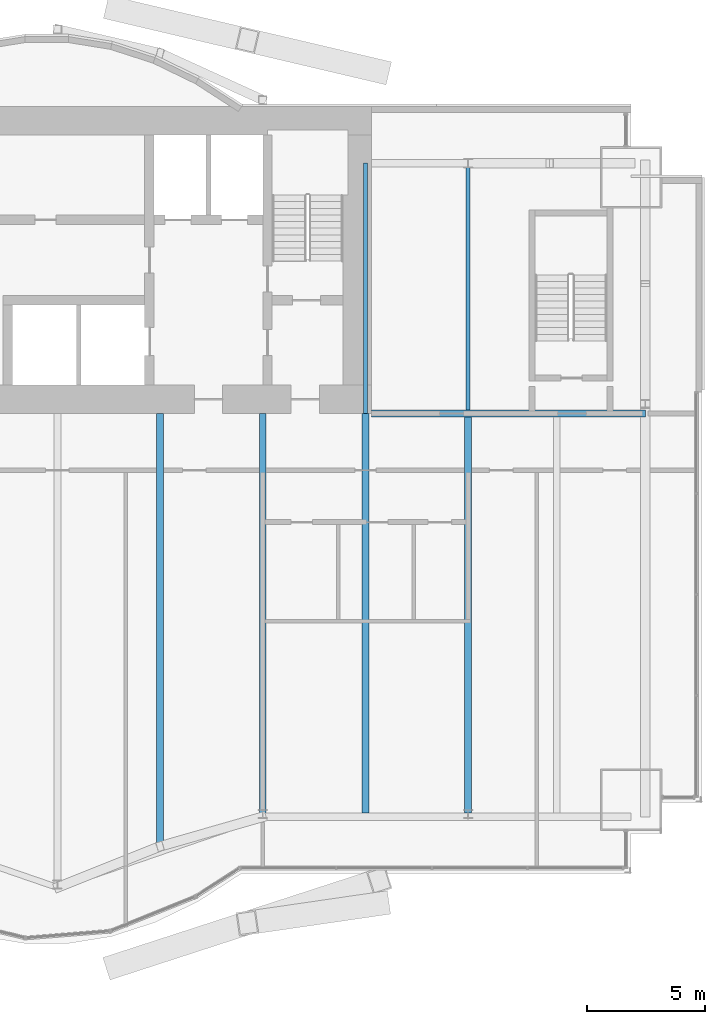
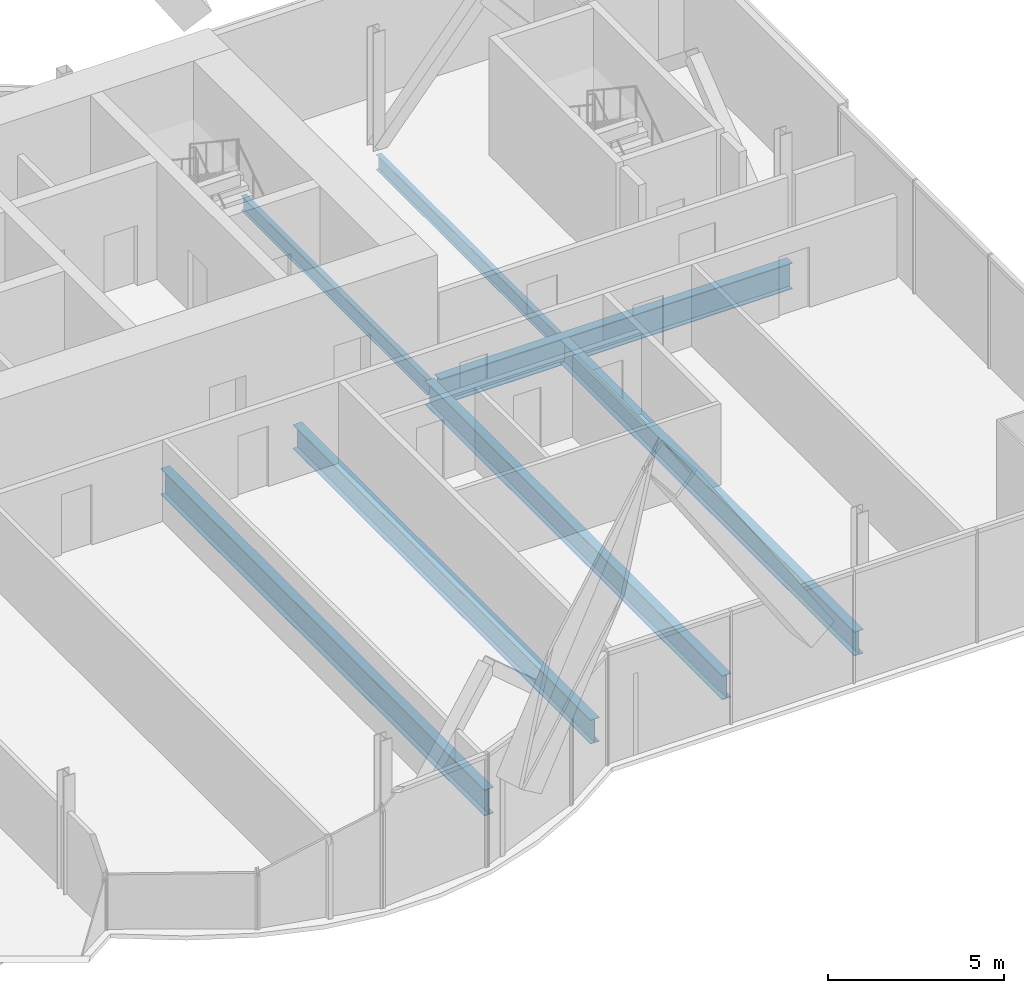
# One storey, part 11 of 22: 7 beams.
"""IFC4 building model written with IfcOpenShell, lengths in metres."""

from ifc_helpers import new_model, si_unit, direction, frame, origin, origin_2d, place, context, subcontext, project, spatial, i_section, extrude, material, material_profile, profile_set, type_object, element, save


model = new_model("IFC4")

# Units and contexts
model_context = context("Model", 3, precision=1e-05, world=origin(), true_north=direction((0.0, 1.0)))
body_context = subcontext(model_context, "Body", "Model", "MODEL_VIEW")
ifc_project = project(units=[si_unit("LENGTHUNIT", "METRE"), si_unit("AREAUNIT", "SQUARE_METRE"), si_unit("VOLUMEUNIT", "CUBIC_METRE"), si_unit("PLANEANGLEUNIT", "RADIAN"), si_unit("MASSUNIT", "GRAM", prefix="KILO")], contexts=[model_context])

# Site, building, storey
site_placement = place(None, origin())
site = spatial("IfcSite", under=ifc_project, at=site_placement, CompositionType="ELEMENT")
building_placement = place(site_placement, origin())
building = spatial("IfcBuilding", under=site, at=building_placement, Name="Bicima Exchange Tower", CompositionType="ELEMENT")
storey_placement = place(building_placement, frame((0.0, 0.0, 203.199951171875)))
storey = spatial("IfcBuildingStorey", under=building, at=storey_placement, Name="L45", CompositionType="ELEMENT", Elevation=203.199951171875)

# Beams
ifc_material = material(Name="Steel ASTM A992 Gr 50", Category="steel")
ifc_material_profile_1 = material_profile(ifc_material, i_section(OverallWidth=0.3046875, OverallDepth=0.911865234375, WebThickness=0.015869140625, FlangeThickness=0.02392578125, at=origin_2d()))
ifc_profile_set_1 = profile_set([ifc_material_profile_1], Name="Steel ASTM A992 Gr 50")
beam_type_1 = type_object("IfcBeamType", Name="Core-line girder W36x150", PredefinedType="BEAM", material=ifc_profile_set_1)
beam_1_placement = place(storey_placement, frame((22.0, -13.0, -0.60595703125), z_axis=(1.0, 0.0, 0.0), x_axis=(0.0, 1.0, 0.0)))
element("IfcBeam", 1, at=beam_1_placement, inside=storey, type_object=beam_type_1, Name="Core-line girder", PredefinedType="BEAM", context=body_context, shape_type="SweptSolid", body=[
    extrude(i_section(OverallWidth=0.3046875, OverallDepth=0.911865234375, WebThickness=0.015869140625, FlangeThickness=0.02392578125, at=origin_2d()), origin(), (0.0, 0.0, 1.0), 11.60009765625),
])
ifc_material_profile_2 = material_profile(ifc_material, i_section(OverallWidth=0.165771484375, OverallDepth=0.5283203125, WebThickness=0.009765625, FlangeThickness=0.013671875, at=origin_2d()))
ifc_profile_set_2 = profile_set([ifc_material_profile_2], Name="Steel ASTM A992 Gr 50")
beam_type_2 = type_object("IfcBeamType", Name="Floor beam W21x50", PredefinedType="JOIST", material=ifc_profile_set_2)
beam_2_placement = place(storey_placement, frame((21.75, -2.39990234375, -0.4140625), z_axis=(0.0, -1.0, 0.0), x_axis=(1.0, 0.0, 0.0)))
element("IfcBeam", 2, at=beam_2_placement, inside=storey, type_object=beam_type_2, Name="Floor beam", PredefinedType="JOIST", context=body_context, shape_type="SweptSolid", body=[
    extrude(i_section(OverallWidth=0.165771484375, OverallDepth=0.5283203125, WebThickness=0.009765625, FlangeThickness=0.013671875, at=origin_2d()), origin(), (0.0, 0.0, 1.0), 10.60009765625),
])
beam_3_placement = place(storey_placement, frame((26.10009765625, -2.5625, -0.4140625), z_axis=(0.0, -1.0, 0.0), x_axis=(1.0, 0.0, 0.0)))
element("IfcBeam", 3, at=beam_3_placement, inside=storey, type_object=beam_type_2, Name="Floor beam", PredefinedType="JOIST", context=body_context, shape_type="SweptSolid", body=[
    extrude(i_section(OverallWidth=0.165771484375, OverallDepth=0.5283203125, WebThickness=0.009765625, FlangeThickness=0.013671875, at=origin_2d()), origin(), (0.0, 0.0, 1.0), 10.28515625),
])
ifc_material_profile_3 = material_profile(ifc_material, i_section(OverallWidth=0.2919921875, OverallDepth=0.835693359375, WebThickness=0.013916015625, FlangeThickness=0.018798828125, at=origin_2d()))
ifc_profile_set_3 = profile_set([ifc_material_profile_3], Name="Steel ASTM A992 Gr 50")
beam_type_3 = type_object("IfcBeamType", Name="Floor beam W33x118", PredefinedType="JOIST", material=ifc_profile_set_3)
beam_4_placement = place(storey_placement, frame((17.39990234375, -13.0, -0.56787109375), z_axis=(0.0, -1.0, 0.0), x_axis=(1.0, 0.0, 0.0)))
element("IfcBeam", 4, at=beam_4_placement, inside=storey, type_object=beam_type_3, Name="Floor beam", PredefinedType="JOIST", context=body_context, shape_type="SweptSolid", body=[
    extrude(i_section(OverallWidth=0.2919921875, OverallDepth=0.835693359375, WebThickness=0.013916015625, FlangeThickness=0.018798828125, at=origin_2d()), origin(), (0.0, 0.0, 1.0), 16.948486328125),
])
beam_5_placement = place(storey_placement, frame((21.75, -13.0, -0.56787109375), z_axis=(0.0, -1.0, 0.0), x_axis=(1.0, 0.0, 0.0)))
element("IfcBeam", 5, at=beam_5_placement, inside=storey, type_object=beam_type_3, Name="Floor beam", PredefinedType="JOIST", context=body_context, shape_type="SweptSolid", body=[
    extrude(i_section(OverallWidth=0.2919921875, OverallDepth=0.835693359375, WebThickness=0.013916015625, FlangeThickness=0.018798828125, at=origin_2d()), origin(), (0.0, 0.0, 1.0), 16.92138671875),
])
beam_6_placement = place(storey_placement, frame((26.10009765625, -13.15234375, -0.56787109375), z_axis=(0.0, -1.0, 0.0), x_axis=(1.0, 0.0, 0.0)))
element("IfcBeam", 6, at=beam_6_placement, inside=storey, type_object=beam_type_3, Name="Floor beam", PredefinedType="JOIST", context=body_context, shape_type="SweptSolid", body=[
    extrude(i_section(OverallWidth=0.2919921875, OverallDepth=0.835693359375, WebThickness=0.013916015625, FlangeThickness=0.018798828125, at=origin_2d()), origin(), (0.0, 0.0, 1.0), 16.76904296875),
])
ifc_material_profile_4 = material_profile(ifc_material, i_section(OverallWidth=0.3046875, OverallDepth=0.904296875, WebThickness=0.01513671875, FlangeThickness=0.02001953125, at=origin_2d()))
ifc_profile_set_4 = profile_set([ifc_material_profile_4], Name="Steel ASTM A992 Gr 50")
beam_type_4 = type_object("IfcBeamType", Name="Floor beam W36x135", PredefinedType="JOIST", material=ifc_profile_set_4)
beam_7_placement = place(storey_placement, frame((13.050048828125, -13.0, -0.60205078125), z_axis=(0.0, -1.0, 0.0), x_axis=(1.0, 0.0, 0.0)))
element("IfcBeam", 7, at=beam_7_placement, inside=storey, type_object=beam_type_4, Name="Floor beam", PredefinedType="JOIST", context=body_context, shape_type="SweptSolid", body=[
    extrude(i_section(OverallWidth=0.3046875, OverallDepth=0.904296875, WebThickness=0.01513671875, FlangeThickness=0.02001953125, at=origin_2d()), origin(), (0.0, 0.0, 1.0), 18.44384765625),
])

save(model, "model.ifc")
